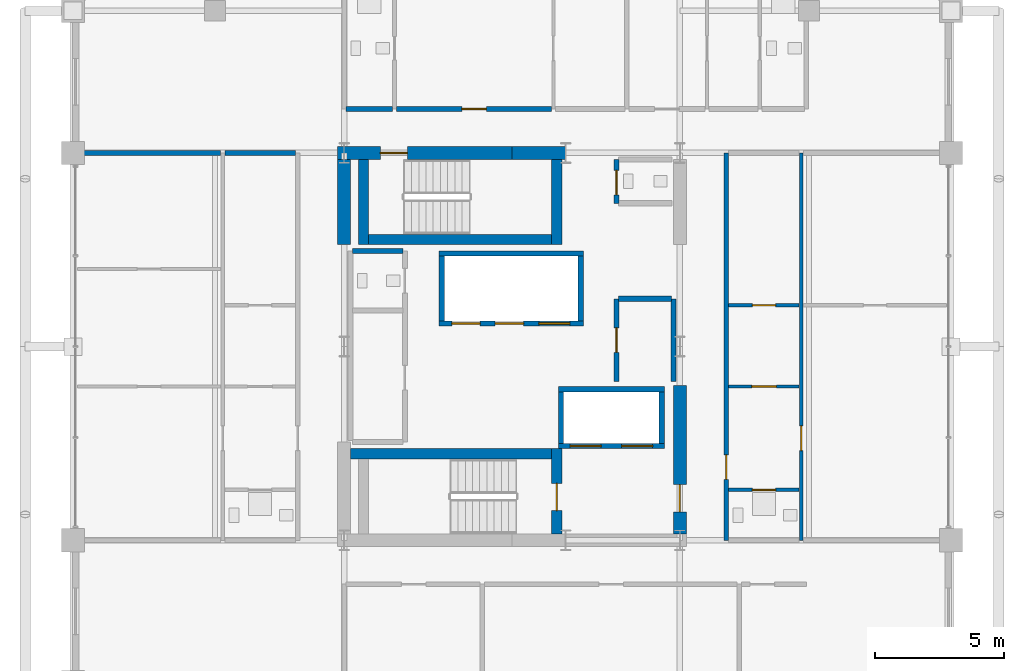
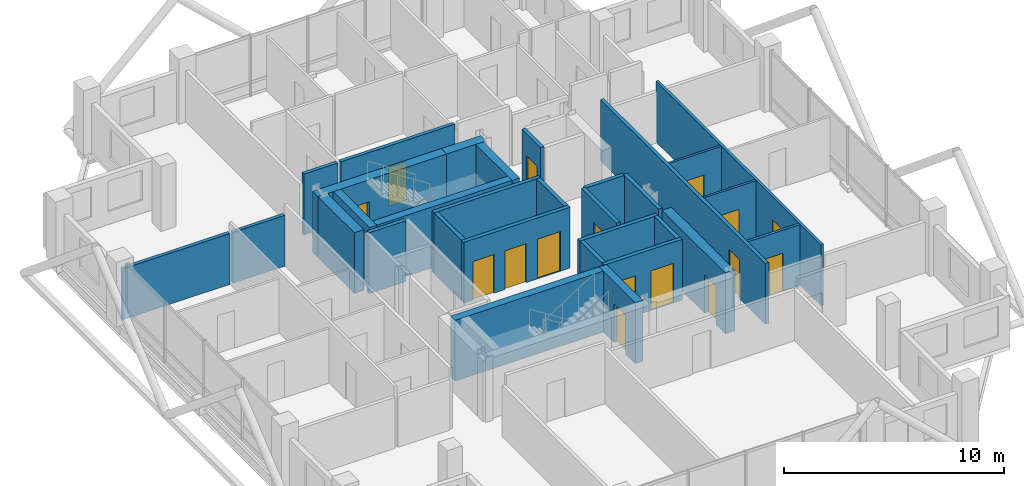
# One storey, part 20 of 24: 31 walls, 16 doors, 16 openings.
"""IFC4 building model written with IfcOpenShell, lengths in metres."""

from ifc_helpers import new_model, si_unit, direction, frame, frame_2d, origin, place, context, subcontext, project, spatial, rectangle, extrude, material, layer, layer_set, type_object, element, fill, save


model = new_model("IFC4")

# Units and contexts
model_context = context("Model", 3, precision=1e-05, world=origin(), true_north=direction((0.0, 1.0)))
body_context = subcontext(model_context, "Body", "Model", "MODEL_VIEW")
ifc_project = project(units=[si_unit("LENGTHUNIT", "METRE"), si_unit("AREAUNIT", "SQUARE_METRE"), si_unit("VOLUMEUNIT", "CUBIC_METRE"), si_unit("PLANEANGLEUNIT", "RADIAN"), si_unit("MASSUNIT", "GRAM", prefix="KILO")], contexts=[model_context])

# Site, building, storey
site_placement = place(None, origin())
site = spatial("IfcSite", under=ifc_project, at=site_placement, CompositionType="ELEMENT")
building_placement = place(site_placement, origin())
building = spatial("IfcBuilding", under=site, at=building_placement, Name="Barlavira Tower and Art Museum", CompositionType="ELEMENT")
storey_placement = place(building_placement, frame((0.0, 0.0, 251.10009765625)))
storey = spatial("IfcBuildingStorey", under=building, at=storey_placement, Name="L65", CompositionType="ELEMENT", Elevation=251.10009765625)

# Wall, opening, door
ifc_material_1 = material(Name="Gypsum acoustic stud partition", Category="gypsum")
ifc_layer_1 = layer(ifc_material_1, 0.1201171875, Name="Gypsum acoustic stud partition")
ifc_layer_set_1 = layer_set([ifc_layer_1], Name="Gypsum acoustic stud partition")
wall_type_1 = type_object("IfcWallType", Name="Apartment Internal Acoustic Partition 120", PredefinedType="PARTITIONING", material=ifc_layer_set_1)
wall_1_placement = place(storey_placement, frame((8.3798828125, -1.550048828125, 0.0), z_axis=(0.0, 0.0, 1.0), x_axis=(1.0, 0.0, 0.0)))
wall_1 = element("IfcWall", 1, at=wall_1_placement, inside=storey, type_object=wall_type_1, Name="L65 Partition Wall 34", PredefinedType="PARTITIONING", context=body_context, shape_type="SweptSolid", body=[
    extrude(rectangle(XDim=2.740234375, YDim=0.1201171875, at=frame_2d((1.3701171875, 0.0))), origin(), (0.0, 0.0, 1.0), 3.3798828125),
])
opening_1_placement = place(wall_1_placement, frame((0.905029296875, 0.0, 0.0)))
opening_1 = element("IfcOpeningElement", 2, at=opening_1_placement, cuts=wall_1, Name="Opening D-02", PredefinedType="OPENING", context=body_context, shape_type="SweptSolid", body=[
    extrude(rectangle(XDim=0.949951171875, YDim=2.10009765625, at=frame_2d((0.47509765625, 1.050048828125))), frame((0.0, 0.070068359375, 0.0), z_axis=(0.0, -1.0, 0.0), x_axis=(1.0, 0.0, 0.0)), (0.0, 0.0, 1.0), 0.14013671875),
])
ifc_material_2 = material(Name="Engineered coastal hardwood", Category="wood")
door_type_1 = type_object("IfcDoorType", Name="Living and Salon Glazed-Leaf Door 950x2100", OperationType="NOTDEFINED", PredefinedType="DOOR", material=ifc_material_2)
door_1_placement = place(opening_1_placement, origin())
door_1 = element("IfcDoor", 3, at=door_1_placement, inside=storey, type_object=door_type_1, Name="Apartment E1 Kitchen Door", OperationType="SINGLE_SWING_RIGHT", OverallHeight=2.10009765625, OverallWidth=0.949951171875, PredefinedType="DOOR", context=body_context, shape_type="SweptSolid", body=[
    extrude(rectangle(XDim=0.949951171875, YDim=2.10009765625, at=frame_2d((0.47509765625, 1.050048828125))), frame((0.0, 0.02490234375, 0.0), z_axis=(0.0, -1.0, 0.0), x_axis=(1.0, 0.0, 0.0)), (0.0, 0.0, 1.0), 0.050048828125),
])
fill(opening_1, door_1)

wall_2_placement = place(storey_placement, frame((8.3798828125, 1.60009765625, 0.0), z_axis=(0.0, 0.0, 1.0), x_axis=(1.0, 0.0, 0.0)))
wall_2 = element("IfcWall", 4, at=wall_2_placement, inside=storey, type_object=wall_type_1, Name="L65 Partition Wall 37", PredefinedType="PARTITIONING", context=body_context, shape_type="SweptSolid", body=[
    extrude(rectangle(XDim=2.740234375, YDim=0.1201171875, at=frame_2d((1.3701171875, 0.0))), origin(), (0.0, 0.0, 1.0), 3.3798828125),
])
opening_2_placement = place(wall_2_placement, frame((0.929931640625, 0.0, 0.0)))
opening_2 = element("IfcOpeningElement", 5, at=opening_2_placement, cuts=wall_2, Name="Opening D-01", PredefinedType="OPENING", context=body_context, shape_type="SweptSolid", body=[
    extrude(rectangle(XDim=0.89990234375, YDim=2.10009765625, at=frame_2d((0.449951171875, 1.050048828125))), frame((0.0, 0.070068359375, 0.0), z_axis=(0.0, -1.0, 0.0), x_axis=(1.0, 0.0, 0.0)), (0.0, 0.0, 1.0), 0.14013671875),
])
door_type_2 = type_object("IfcDoorType", Name="Internal Bedroom Timber Flush Door 900x2100", OperationType="NOTDEFINED", PredefinedType="DOOR", material=ifc_material_2)
door_2_placement = place(opening_2_placement, origin())
door_2 = element("IfcDoor", 6, at=door_2_placement, inside=storey, type_object=door_type_2, Name="Apartment E1 Walk-In Dressing Room Door", OperationType="SINGLE_SWING_LEFT", OverallHeight=2.10009765625, OverallWidth=0.89990234375, PredefinedType="DOOR", context=body_context, shape_type="SweptSolid", body=[
    extrude(rectangle(XDim=0.89990234375, YDim=2.10009765625, at=frame_2d((0.449951171875, 1.050048828125))), frame((0.0, 0.02490234375, 0.0), z_axis=(0.0, -1.0, 0.0), x_axis=(1.0, 0.0, 0.0)), (0.0, 0.0, 1.0), 0.050048828125),
])
fill(opening_2, door_2)

ifc_material_3 = material(Name="Concrete C60", Category="concrete")
ifc_layer_2 = layer(ifc_material_3, 0.5, Name="Concrete C60")
ifc_layer_set_2 = layer_set([ifc_layer_2], Name="Concrete C60")
wall_type_2 = type_object("IfcWallType", Name="Core Structural Shear Wall 500 Concrete C60", PredefinedType="SHEAR", material=ifc_layer_set_2)
wall_3_placement = place(storey_placement, frame((-6.75, 7.5, 0.0), z_axis=(0.0, 0.0, 1.0), x_axis=(1.0, 0.0, 0.0)))
wall_3 = element("IfcWall", 7, at=wall_3_placement, inside=storey, type_object=wall_type_2, Name="L65 Core Shear Wall CS-NW", PredefinedType="SHEAR", context=body_context, shape_type="SweptSolid", body=[
    extrude(rectangle(XDim=6.75, YDim=0.5, at=frame_2d((3.375, 0.0))), origin(), (0.0, 0.0, 1.0), 3.3798828125),
])
opening_3_placement = place(wall_3_placement, frame((1.64990234375, 0.0, 0.0)))
opening_3 = element("IfcOpeningElement", 8, at=opening_3_placement, cuts=wall_3, Name="Opening FD-90", PredefinedType="OPENING", context=body_context, shape_type="SweptSolid", body=[
    extrude(rectangle(XDim=1.050048828125, YDim=2.14990234375, at=frame_2d((0.52490234375, 1.074951171875))), frame((0.0, 0.260009765625, 0.0), z_axis=(0.0, -1.0, 0.0), x_axis=(1.0, 0.0, 0.0)), (0.0, 0.0, 1.0), 0.52001953125),
])
ifc_material_4 = material(Name="Brushed stainless steel", Category="steel")
door_type_3 = type_object("IfcDoorType", Name="Stair and Refuge Fire Door 1050x2150 FD90S", OperationType="NOTDEFINED", PredefinedType="DOOR", material=ifc_material_4)
door_3_placement = place(opening_3_placement, origin())
door_3 = element("IfcDoor", 9, at=door_3_placement, inside=storey, type_object=door_type_3, Name="L65 Stair ST-T2 Fire Door", OperationType="SINGLE_SWING_LEFT", OverallHeight=2.14990234375, OverallWidth=1.050048828125, PredefinedType="DOOR", context=body_context, shape_type="SweptSolid", body=[
    extrude(rectangle(XDim=1.050048828125, YDim=2.14990234375, at=frame_2d((0.52490234375, 1.074951171875))), frame((0.0, 0.02490234375, 0.0), z_axis=(0.0, -1.0, 0.0), x_axis=(1.0, 0.0, 0.0)), (0.0, 0.0, 1.0), 0.050048828125),
])
fill(opening_3, door_3)

# Walls
wall_4_placement = place(storey_placement, frame((0.0, 7.5, 0.0), z_axis=(0.0, 0.0, 1.0), x_axis=(1.0, 0.0, 0.0)))
element("IfcWall", 10, at=wall_4_placement, inside=storey, type_object=wall_type_2, Name="L65 Core Shear Wall CS-EN", PredefinedType="SHEAR", context=body_context, shape_type="SweptSolid", body=[
    extrude(rectangle(XDim=2.080078125, YDim=0.5, at=frame_2d((1.0400390625, 0.0))), origin(), (0.0, 0.0, 1.0), 3.3798828125),
])
wall_5_placement = place(storey_placement, frame((-6.5, 3.949951171875, 0.0), z_axis=(0.0, 0.0, 1.0), x_axis=(0.0, 1.0, 0.0)))
element("IfcWall", 11, at=wall_5_placement, inside=storey, type_object=wall_type_2, Name="L65 Core Shear Wall CS-W2", PredefinedType="SHEAR", context=body_context, shape_type="SweptSolid", body=[
    extrude(rectangle(XDim=3.300048828125, YDim=0.5, at=frame_2d((1.64990234375, 0.0))), origin(), (0.0, 0.0, 1.0), 3.3798828125),
])

# Wall, opening, door
wall_6_placement = place(storey_placement, frame((6.5, -7.25, 0.0), z_axis=(0.0, 0.0, 1.0), x_axis=(0.0, 1.0, 0.0)))
wall_6 = element("IfcWall", 12, at=wall_6_placement, inside=storey, type_object=wall_type_2, Name="L65 Core Shear Wall CS-E1", PredefinedType="SHEAR", context=body_context, shape_type="SweptSolid", body=[
    extrude(rectangle(XDim=5.75, YDim=0.5, at=frame_2d((2.875, 0.0))), origin(), (0.0, 0.0, 1.0), 3.3798828125),
])
opening_4_placement = place(wall_6_placement, frame((0.85009765625, 0.0, 0.0)))
opening_4 = element("IfcOpeningElement", 13, at=opening_4_placement, cuts=wall_6, Name="Opening FD-90", PredefinedType="OPENING", context=body_context, shape_type="SweptSolid", body=[
    extrude(rectangle(XDim=1.050048828125, YDim=2.14990234375, at=frame_2d((0.52490234375, 1.074951171875))), frame((0.0, 0.260009765625, 0.0), z_axis=(0.0, -1.0, 0.0), x_axis=(1.0, 0.0, 0.0)), (0.0, 0.0, 1.0), 0.52001953125),
])
door_4_placement = place(opening_4_placement, origin())
door_4 = element("IfcDoor", 14, at=door_4_placement, inside=storey, type_object=door_type_3, Name="L65 Firefighting Lobby Entry Fire Door", OperationType="SINGLE_SWING_LEFT", OverallHeight=2.14990234375, OverallWidth=1.050048828125, PredefinedType="DOOR", context=body_context, shape_type="SweptSolid", body=[
    extrude(rectangle(XDim=1.050048828125, YDim=2.14990234375, at=frame_2d((0.52490234375, 1.074951171875))), frame((0.0, 0.02490234375, 0.0), z_axis=(0.0, -1.0, 0.0), x_axis=(1.0, 0.0, 0.0)), (0.0, 0.0, 1.0), 0.050048828125),
])
fill(opening_4, door_4)

# Wall, openings, doors
ifc_material_5 = material(Name="Autoclaved aerated concrete masonry", Category="masonry")
ifc_layer_3 = layer(ifc_material_5, 0.199951171875, Name="Autoclaved aerated concrete masonry")
ifc_layer_set_3 = layer_set([ifc_layer_3], Name="Autoclaved aerated concrete masonry")
wall_type_3 = type_object("IfcWallType", Name="Fire Compartment and Shaft Wall 200", PredefinedType="SOLIDWALL", material=ifc_layer_set_3)
wall_7_placement = place(storey_placement, frame((-2.820068359375, 0.89990234375, 0.0), z_axis=(0.0, 0.0, 1.0), x_axis=(1.0, 0.0, 0.0)))
wall_7 = element("IfcWall", 15, at=wall_7_placement, inside=storey, type_object=wall_type_3, Name="L65 High-Rise & Service Lift Front Wall", PredefinedType="SOLIDWALL", context=body_context, shape_type="SweptSolid", body=[
    extrude(rectangle(XDim=5.580078125, YDim=0.199951171875, at=frame_2d((2.7900390625, 0.0))), origin(), (0.0, 0.0, 1.0), 3.3798828125),
])
opening_5_placement = place(wall_7_placement, frame((0.489990234375, 0.0, 0.0)))
opening_5 = element("IfcOpeningElement", 16, at=opening_5_placement, cuts=wall_7, Name="Opening LD-P", PredefinedType="OPENING", context=body_context, shape_type="SweptSolid", body=[
    extrude(rectangle(XDim=1.10009765625, YDim=2.14990234375, at=frame_2d((0.550048828125, 1.074951171875))), frame((0.0, 0.10986328125, 0.0), z_axis=(0.0, -1.0, 0.0), x_axis=(1.0, 0.0, 0.0)), (0.0, 0.0, 1.0), 0.219970703125),
])
opening_6_placement = place(wall_7_placement, frame((2.169921875, 0.0, 0.0)))
opening_6 = element("IfcOpeningElement", 17, at=opening_6_placement, cuts=wall_7, Name="Opening LD-P", PredefinedType="OPENING", context=body_context, shape_type="SweptSolid", body=[
    extrude(rectangle(XDim=1.10009765625, YDim=2.14990234375, at=frame_2d((0.550048828125, 1.074951171875))), frame((0.0, 0.10986328125, 0.0), z_axis=(0.0, -1.0, 0.0), x_axis=(1.0, 0.0, 0.0)), (0.0, 0.0, 1.0), 0.219970703125),
])
opening_7_placement = place(wall_7_placement, frame((3.860107421875, 0.0, 0.0)))
opening_7 = element("IfcOpeningElement", 18, at=opening_7_placement, cuts=wall_7, Name="Opening LD-F", PredefinedType="OPENING", context=body_context, shape_type="SweptSolid", body=[
    extrude(rectangle(XDim=1.199951171875, YDim=2.199951171875, at=frame_2d((0.60009765625, 1.10009765625))), frame((0.0, 0.10986328125, 0.0), z_axis=(0.0, -1.0, 0.0), x_axis=(1.0, 0.0, 0.0)), (0.0, 0.0, 1.0), 0.219970703125),
])
door_type_4 = type_object("IfcDoorType", Name="Firefighting and Service Lift Sliding Door 1200x2200 FD120", OperationType="NOTDEFINED", PredefinedType="DOOR", material=ifc_material_4)
door_5_placement = place(opening_7_placement, origin())
door_5 = element("IfcDoor", 19, at=door_5_placement, inside=storey, type_object=door_type_4, Name="L65 Stretcher Service Lift SL1 Sliding Door", OperationType="DOUBLE_DOOR_SLIDING", OverallHeight=2.199951171875, OverallWidth=1.199951171875, PredefinedType="DOOR", context=body_context, shape_type="SweptSolid", body=[
    extrude(rectangle(XDim=1.199951171875, YDim=2.199951171875, at=frame_2d((0.60009765625, 1.10009765625))), frame((0.0, 0.02490234375, 0.0), z_axis=(0.0, -1.0, 0.0), x_axis=(1.0, 0.0, 0.0)), (0.0, 0.0, 1.0), 0.050048828125),
])
fill(opening_7, door_5)
door_type_5 = type_object("IfcDoorType", Name="Passenger Lift Sliding Landing Door 1100x2150 FD60", OperationType="NOTDEFINED", PredefinedType="DOOR", material=ifc_material_4)
door_6_placement = place(opening_5_placement, origin())
door_6 = element("IfcDoor", 20, at=door_6_placement, inside=storey, type_object=door_type_5, Name="L65 Lift PH1 Sliding Landing Door", OperationType="DOUBLE_DOOR_SLIDING", OverallHeight=2.14990234375, OverallWidth=1.10009765625, PredefinedType="DOOR", context=body_context, shape_type="SweptSolid", body=[
    extrude(rectangle(XDim=1.10009765625, YDim=2.14990234375, at=frame_2d((0.550048828125, 1.074951171875))), frame((0.0, 0.02490234375, 0.0), z_axis=(0.0, -1.0, 0.0), x_axis=(1.0, 0.0, 0.0)), (0.0, 0.0, 1.0), 0.050048828125),
])
fill(opening_5, door_6)
door_7_placement = place(opening_6_placement, origin())
door_7 = element("IfcDoor", 21, at=door_7_placement, inside=storey, type_object=door_type_5, Name="L65 Lift PH2 Sliding Landing Door", OperationType="DOUBLE_DOOR_SLIDING", OverallHeight=2.14990234375, OverallWidth=1.10009765625, PredefinedType="DOOR", context=body_context, shape_type="SweptSolid", body=[
    extrude(rectangle(XDim=1.10009765625, YDim=2.14990234375, at=frame_2d((0.550048828125, 1.074951171875))), frame((0.0, 0.02490234375, 0.0), z_axis=(0.0, -1.0, 0.0), x_axis=(1.0, 0.0, 0.0)), (0.0, 0.0, 1.0), 0.050048828125),
])
fill(opening_6, door_7)

# Walls
wall_8_placement = place(storey_placement, frame((-2.820068359375, 3.60009765625, 0.0), z_axis=(0.0, 0.0, 1.0), x_axis=(1.0, 0.0, 0.0)))
element("IfcWall", 22, at=wall_8_placement, inside=storey, type_object=wall_type_3, Name="L65 High-Rise & Service Lift Back Wall", PredefinedType="SOLIDWALL", context=body_context, shape_type="SweptSolid", body=[
    extrude(rectangle(XDim=5.580078125, YDim=0.199951171875, at=frame_2d((2.7900390625, 0.0))), origin(), (0.0, 0.0, 1.0), 3.3798828125),
])
for number, where, z_axis, x_axis, name in (
    (23, (-2.719970703125, 1.0, 0.0), (0.0, 0.0, 1.0), (0.0, 1.0, 0.0), "L65 High-Rise & Service Lift West Wall"),
    (24, (2.659912109375, 1.0, 0.0), (0.0, 0.0, 1.0), (0.0, 1.0, 0.0), "L65 High-Rise & Service Lift East Wall"),
):
    element("IfcWall", number, at=place(storey_placement, frame(where, z_axis=z_axis, x_axis=x_axis)), inside=storey, type_object=wall_type_3, Name=name, PredefinedType="SOLIDWALL", context=body_context, shape_type="SweptSolid", body=[
        extrude(rectangle(XDim=2.5, YDim=0.199951171875, at=frame_2d((1.25, 0.0))), origin(), (0.0, 0.0, 1.0), 3.3798828125),
    ])

# Wall, openings, doors
wall_9_placement = place(storey_placement, frame((1.800048828125, -3.85009765625, 0.0), z_axis=(0.0, 0.0, 1.0), x_axis=(1.0, 0.0, 0.0)))
wall_9 = element("IfcWall", 25, at=wall_9_placement, inside=storey, type_object=wall_type_3, Name="L65 Firefighting Lift Front Shaft Wall", PredefinedType="SOLIDWALL", context=body_context, shape_type="SweptSolid", body=[
    extrude(rectangle(XDim=4.099853515625, YDim=0.199951171875, at=frame_2d((2.0498046875, 0.0))), origin(), (0.0, 0.0, 1.0), 3.3798828125),
])
opening_8_placement = place(wall_9_placement, frame((0.449951171875, 0.0, 0.0)))
opening_8 = element("IfcOpeningElement", 26, at=opening_8_placement, cuts=wall_9, Name="Opening LD-F", PredefinedType="OPENING", context=body_context, shape_type="SweptSolid", body=[
    extrude(rectangle(XDim=1.199951171875, YDim=2.199951171875, at=frame_2d((0.60009765625, 1.10009765625))), frame((0.0, 0.10986328125, 0.0), z_axis=(0.0, -1.0, 0.0), x_axis=(1.0, 0.0, 0.0)), (0.0, 0.0, 1.0), 0.219970703125),
])
opening_9_placement = place(wall_9_placement, frame((2.449951171875, 0.0, 0.0)))
opening_9 = element("IfcOpeningElement", 27, at=opening_9_placement, cuts=wall_9, Name="Opening LD-F", PredefinedType="OPENING", context=body_context, shape_type="SweptSolid", body=[
    extrude(rectangle(XDim=1.199951171875, YDim=2.199951171875, at=frame_2d((0.60009765625, 1.10009765625))), frame((0.0, 0.10986328125, 0.0), z_axis=(0.0, -1.0, 0.0), x_axis=(1.0, 0.0, 0.0)), (0.0, 0.0, 1.0), 0.219970703125),
])
door_8_placement = place(opening_8_placement, origin())
door_8 = element("IfcDoor", 28, at=door_8_placement, inside=storey, type_object=door_type_4, Name="L65 Firefighting Lift FF1 Sliding Door", OperationType="DOUBLE_DOOR_SLIDING", OverallHeight=2.199951171875, OverallWidth=1.199951171875, PredefinedType="DOOR", context=body_context, shape_type="SweptSolid", body=[
    extrude(rectangle(XDim=1.199951171875, YDim=2.199951171875, at=frame_2d((0.60009765625, 1.10009765625))), frame((0.0, 0.02490234375, 0.0), z_axis=(0.0, -1.0, 0.0), x_axis=(1.0, 0.0, 0.0)), (0.0, 0.0, 1.0), 0.050048828125),
])
fill(opening_8, door_8)
door_9_placement = place(opening_9_placement, origin())
door_9 = element("IfcDoor", 29, at=door_9_placement, inside=storey, type_object=door_type_4, Name="L65 Firefighting Lift FF2 Sliding Door", OperationType="DOUBLE_DOOR_SLIDING", OverallHeight=2.199951171875, OverallWidth=1.199951171875, PredefinedType="DOOR", context=body_context, shape_type="SweptSolid", body=[
    extrude(rectangle(XDim=1.199951171875, YDim=2.199951171875, at=frame_2d((0.60009765625, 1.10009765625))), frame((0.0, 0.02490234375, 0.0), z_axis=(0.0, -1.0, 0.0), x_axis=(1.0, 0.0, 0.0)), (0.0, 0.0, 1.0), 0.050048828125),
])
fill(opening_9, door_9)

# Walls
wall_10_placement = place(storey_placement, frame((1.800048828125, -1.64990234375, 0.0), z_axis=(0.0, 0.0, 1.0), x_axis=(1.0, 0.0, 0.0)))
element("IfcWall", 30, at=wall_10_placement, inside=storey, type_object=wall_type_3, Name="L65 Firefighting Lift Back Shaft Wall", PredefinedType="SOLIDWALL", context=body_context, shape_type="SweptSolid", body=[
    extrude(rectangle(XDim=4.099853515625, YDim=0.199951171875, at=frame_2d((2.0498046875, 0.0))), origin(), (0.0, 0.0, 1.0), 3.3798828125),
])
for number, where, z_axis, x_axis, name in (
    (31, (1.89990234375, -3.75, 0.0), (0.0, 0.0, 1.0), (0.0, 1.0, 0.0), "L65 Firefighting Lift West Shaft Wall"),
    (32, (5.800048828125, -3.75, 0.0), (0.0, 0.0, 1.0), (0.0, 1.0, 0.0), "L65 Firefighting Lift East Shaft Wall"),
):
    element("IfcWall", number, at=place(storey_placement, frame(where, z_axis=z_axis, x_axis=x_axis)), inside=storey, type_object=wall_type_3, Name=name, PredefinedType="SOLIDWALL", context=body_context, shape_type="SweptSolid", body=[
        extrude(rectangle(XDim=2.0, YDim=0.199951171875, at=frame_2d((1.0, 0.0))), origin(), (0.0, 0.0, 1.0), 3.3798828125),
    ])

# Wall, opening, door
wall_11_placement = place(storey_placement, frame((4.050048828125, -1.35009765625, 0.0), z_axis=(0.0, 0.0, 1.0), x_axis=(0.0, 1.0, 0.0)))
wall_11 = element("IfcWall", 33, at=wall_11_placement, inside=storey, type_object=wall_type_3, Name="L65 Partition Wall 11", PredefinedType="SOLIDWALL", context=body_context, shape_type="SweptSolid", body=[
    extrude(rectangle(XDim=3.2001953125, YDim=0.199951171875, at=frame_2d((1.60009765625, 0.0))), origin(), (0.0, 0.0, 1.0), 3.3798828125),
])
opening_10_placement = place(wall_11_placement, frame((1.125, 0.0, 0.0)))
opening_10 = element("IfcOpeningElement", 34, at=opening_10_placement, cuts=wall_11, Name="Opening FD-60", PredefinedType="OPENING", context=body_context, shape_type="SweptSolid", body=[
    extrude(rectangle(XDim=0.949951171875, YDim=2.14990234375, at=frame_2d((0.47509765625, 1.074951171875))), frame((0.0, 0.10986328125, 0.0), z_axis=(0.0, -1.0, 0.0), x_axis=(1.0, 0.0, 0.0)), (0.0, 0.0, 1.0), 0.219970703125),
])
door_type_6 = type_object("IfcDoorType", Name="Apartment Entrance and Riser Fire Door 950x2150 FD60S", OperationType="NOTDEFINED", PredefinedType="DOOR", material=ifc_material_4)
door_10_placement = place(opening_10_placement, origin())
door_10 = element("IfcDoor", 35, at=door_10_placement, inside=storey, type_object=door_type_6, Name="Reclaimed Upper Core Valet Store Door", OperationType="SINGLE_SWING_LEFT", OverallHeight=2.14990234375, OverallWidth=0.949951171875, PredefinedType="DOOR", context=body_context, shape_type="SweptSolid", body=[
    extrude(rectangle(XDim=0.949951171875, YDim=2.14990234375, at=frame_2d((0.47509765625, 1.074951171875))), frame((0.0, 0.02490234375, 0.0), z_axis=(0.0, -1.0, 0.0), x_axis=(1.0, 0.0, 0.0)), (0.0, 0.0, 1.0), 0.050048828125),
])
fill(opening_10, door_10)

wall_12_placement = place(storey_placement, frame((4.050048828125, 5.550048828125, 0.0), z_axis=(0.0, 0.0, 1.0), x_axis=(0.0, 1.0, 0.0)))
wall_12 = element("IfcWall", 36, at=wall_12_placement, inside=storey, type_object=wall_type_3, Name="L65 Partition Wall 12", PredefinedType="SOLIDWALL", context=body_context, shape_type="SweptSolid", body=[
    extrude(rectangle(XDim=1.699951171875, YDim=0.199951171875, at=frame_2d((0.85009765625, 0.0))), origin(), (0.0, 0.0, 1.0), 3.3798828125),
])
opening_11_placement = place(wall_12_placement, frame((0.324951171875, 0.0, 0.0)))
opening_11 = element("IfcOpeningElement", 37, at=opening_11_placement, cuts=wall_12, Name="Opening FD-60", PredefinedType="OPENING", context=body_context, shape_type="SweptSolid", body=[
    extrude(rectangle(XDim=0.949951171875, YDim=2.14990234375, at=frame_2d((0.47509765625, 1.074951171875))), frame((0.0, 0.10986328125, 0.0), z_axis=(0.0, -1.0, 0.0), x_axis=(1.0, 0.0, 0.0)), (0.0, 0.0, 1.0), 0.219970703125),
])
door_11_placement = place(opening_11_placement, origin())
door_11 = element("IfcDoor", 38, at=door_11_placement, inside=storey, type_object=door_type_6, Name="Core Accessible Washroom Door", OperationType="SINGLE_SWING_RIGHT", OverallHeight=2.14990234375, OverallWidth=0.949951171875, PredefinedType="DOOR", context=body_context, shape_type="SweptSolid", body=[
    extrude(rectangle(XDim=0.949951171875, YDim=2.14990234375, at=frame_2d((0.47509765625, 1.074951171875))), frame((0.0, 0.02490234375, 0.0), z_axis=(0.0, -1.0, 0.0), x_axis=(1.0, 0.0, 0.0)), (0.0, 0.0, 1.0), 0.050048828125),
])
fill(opening_11, door_11)

# Walls
wall_13_placement = place(storey_placement, frame((6.25, -1.35009765625, 0.0), z_axis=(0.0, 0.0, 1.0), x_axis=(0.0, 1.0, 0.0)))
element("IfcWall", 39, at=wall_13_placement, inside=storey, type_object=wall_type_3, Name="L65 Partition Wall 14", PredefinedType="SOLIDWALL", context=body_context, shape_type="SweptSolid", body=[
    extrude(rectangle(XDim=3.2001953125, YDim=0.199951171875, at=frame_2d((1.60009765625, 0.0))), origin(), (0.0, 0.0, 1.0), 3.3798828125),
])
wall_14_placement = place(storey_placement, frame((4.1298828125, 1.85009765625, 0.0), z_axis=(0.0, 0.0, 1.0), x_axis=(1.0, 0.0, 0.0)))
element("IfcWall", 40, at=wall_14_placement, inside=storey, type_object=wall_type_3, Name="L65 Partition Wall 39", PredefinedType="SOLIDWALL", context=body_context, shape_type="SweptSolid", body=[
    extrude(rectangle(XDim=2.0400390625, YDim=0.199951171875, at=frame_2d((1.02001953125, 0.0))), origin(), (0.0, 0.0, 1.0), 3.3798828125),
])
wall_15_placement = place(storey_placement, frame((-6.169921875, 3.699951171875, 0.0), z_axis=(0.0, 0.0, 1.0), x_axis=(1.0, 0.0, 0.0)))
element("IfcWall", 41, at=wall_15_placement, inside=storey, type_object=wall_type_3, Name="L65 Partition Wall 41", PredefinedType="SOLIDWALL", context=body_context, shape_type="SweptSolid", body=[
    extrude(rectangle(XDim=1.93994140625, YDim=0.199951171875, at=frame_2d((0.969970703125, 0.0))), origin(), (0.0, 0.0, 1.0), 3.3798828125),
])

# Wall, opening, door
ifc_layer_4 = layer(ifc_material_1, 0.179931640625, Name="Gypsum acoustic stud partition")
ifc_layer_set_4 = layer_set([ifc_layer_4], Name="Gypsum acoustic stud partition")
wall_type_4 = type_object("IfcWallType", Name="Inter-Tenancy Party Partition Wall 180", PredefinedType="PARTITIONING", material=ifc_layer_set_4)
wall_16_placement = place(storey_placement, frame((8.300048828125, -7.5, 0.0), z_axis=(0.0, 0.0, 1.0), x_axis=(0.0, 1.0, 0.0)))
wall_16 = element("IfcWall", 42, at=wall_16_placement, inside=storey, type_object=wall_type_4, Name="L65 Partition Wall 17", PredefinedType="PARTITIONING", context=body_context, shape_type="SweptSolid", body=[
    extrude(rectangle(XDim=15.0, YDim=0.179931640625, at=frame_2d((7.5, 0.0))), origin(), (0.0, 0.0, 1.0), 3.3798828125),
])
opening_12_placement = place(wall_16_placement, frame((2.35498046875, 0.0, 0.0)))
opening_12 = element("IfcOpeningElement", 43, at=opening_12_placement, cuts=wall_16, Name="Opening FD-60", PredefinedType="OPENING", context=body_context, shape_type="SweptSolid", body=[
    extrude(rectangle(XDim=0.949951171875, YDim=2.14990234375, at=frame_2d((0.47509765625, 1.074951171875))), frame((0.0, 0.10009765625, 0.0), z_axis=(0.0, -1.0, 0.0), x_axis=(1.0, 0.0, 0.0)), (0.0, 0.0, 1.0), 0.199951171875),
])
door_12_placement = place(opening_12_placement, origin())
door_12 = element("IfcDoor", 44, at=door_12_placement, inside=storey, type_object=door_type_6, Name="Apartment Entrance Hall E1 Door", OperationType="SINGLE_SWING_LEFT", OverallHeight=2.14990234375, OverallWidth=0.949951171875, PredefinedType="DOOR", context=body_context, shape_type="SweptSolid", body=[
    extrude(rectangle(XDim=0.949951171875, YDim=2.14990234375, at=frame_2d((0.47509765625, 1.074951171875))), frame((0.0, 0.02490234375, 0.0), z_axis=(0.0, -1.0, 0.0), x_axis=(1.0, 0.0, 0.0)), (0.0, 0.0, 1.0), 0.050048828125),
])
fill(opening_12, door_12)

# Walls
wall_17_placement = place(storey_placement, frame((-16.89990234375, 7.5, 0.0), z_axis=(0.0, 0.0, 1.0), x_axis=(1.0, 0.0, 0.0)))
element("IfcWall", 45, at=wall_17_placement, inside=storey, type_object=wall_type_4, Name="L65 Partition Wall 44", PredefinedType="PARTITIONING", context=body_context, shape_type="SweptSolid", body=[
    extrude(rectangle(XDim=5.619873046875, YDim=0.179931640625, at=frame_2d((2.81005859375, 0.0))), origin(), (0.0, 0.0, 1.0), 2.825927734375),
])
wall_18_placement = place(storey_placement, frame((-11.1201171875, 7.5, 0.0), z_axis=(0.0, 0.0, 1.0), x_axis=(1.0, 0.0, 0.0)))
element("IfcWall", 46, at=wall_18_placement, inside=storey, type_object=wall_type_4, Name="L65 Partition Wall 45", PredefinedType="PARTITIONING", context=body_context, shape_type="SweptSolid", body=[
    extrude(rectangle(XDim=2.740234375, YDim=0.179931640625, at=frame_2d((1.3701171875, 0.0))), origin(), (0.0, 0.0, 1.0), 2.825927734375),
])
wall_19_placement = place(storey_placement, frame((-6.419921875, 9.199951171875, 0.0), z_axis=(0.0, 0.0, 1.0), x_axis=(1.0, 0.0, 0.0)))
element("IfcWall", 47, at=wall_19_placement, inside=storey, type_object=wall_type_4, Name="L65 Partition Wall 48", PredefinedType="PARTITIONING", context=body_context, shape_type="SweptSolid", body=[
    extrude(rectangle(XDim=1.7900390625, YDim=0.179931640625, at=frame_2d((0.89501953125, 0.0))), origin(), (0.0, 0.0, 1.0), 3.3798828125),
])

# Wall, opening, door
wall_20_placement = place(storey_placement, frame((-4.469970703125, 9.199951171875, 0.0), z_axis=(0.0, 0.0, 1.0), x_axis=(1.0, 0.0, 0.0)))
wall_20 = element("IfcWall", 48, at=wall_20_placement, inside=storey, type_object=wall_type_4, Name="L65 Partition Wall 49", PredefinedType="PARTITIONING", context=body_context, shape_type="SweptSolid", body=[
    extrude(rectangle(XDim=5.989990234375, YDim=0.179931640625, at=frame_2d((2.9951171875, 0.0))), origin(), (0.0, 0.0, 1.0), 3.3798828125),
])
opening_13_placement = place(wall_20_placement, frame((2.52490234375, 0.0, 0.0)))
opening_13 = element("IfcOpeningElement", 49, at=opening_13_placement, cuts=wall_20, Name="Opening FD-60", PredefinedType="OPENING", context=body_context, shape_type="SweptSolid", body=[
    extrude(rectangle(XDim=0.949951171875, YDim=2.14990234375, at=frame_2d((0.47509765625, 1.074951171875))), frame((0.0, 0.10009765625, 0.0), z_axis=(0.0, -1.0, 0.0), x_axis=(1.0, 0.0, 0.0)), (0.0, 0.0, 1.0), 0.199951171875),
])
door_13_placement = place(opening_13_placement, origin())
door_13 = element("IfcDoor", 50, at=door_13_placement, inside=storey, type_object=door_type_6, Name="Apartment Entrance Hall N1 Door", OperationType="SINGLE_SWING_LEFT", OverallHeight=2.14990234375, OverallWidth=0.949951171875, PredefinedType="DOOR", context=body_context, shape_type="SweptSolid", body=[
    extrude(rectangle(XDim=0.949951171875, YDim=2.14990234375, at=frame_2d((0.47509765625, 1.074951171875))), frame((0.0, 0.02490234375, 0.0), z_axis=(0.0, -1.0, 0.0), x_axis=(1.0, 0.0, 0.0)), (0.0, 0.0, 1.0), 0.050048828125),
])
fill(opening_13, door_13)

ifc_layer_5 = layer(ifc_material_1, 0.139892578125, Name="Gypsum acoustic stud partition")
ifc_layer_set_5 = layer_set([ifc_layer_5], Name="Gypsum acoustic stud partition")
wall_type_5 = type_object("IfcWallType", Name="Moisture-Resistant Bathroom Partition 140", PredefinedType="PARTITIONING", material=ifc_layer_set_5)
wall_21_placement = place(storey_placement, frame((11.199951171875, -7.5, 0.0), z_axis=(0.0, 0.0, 1.0), x_axis=(0.0, 1.0, 0.0)))
wall_21 = element("IfcWall", 51, at=wall_21_placement, inside=storey, type_object=wall_type_5, Name="L65 Partition Wall 20", PredefinedType="PARTITIONING", context=body_context, shape_type="SweptSolid", body=[
    extrude(rectangle(XDim=15.0, YDim=0.139892578125, at=frame_2d((7.5, 0.0))), origin(), (0.0, 0.0, 1.0), 3.3798828125),
])
opening_14_placement = place(wall_21_placement, frame((3.47509765625, 0.0, 0.0)))
opening_14 = element("IfcOpeningElement", 52, at=opening_14_placement, cuts=wall_21, Name="Opening D-02", PredefinedType="OPENING", context=body_context, shape_type="SweptSolid", body=[
    extrude(rectangle(XDim=0.949951171875, YDim=2.10009765625, at=frame_2d((0.47509765625, 1.050048828125))), frame((0.0, 0.080078125, 0.0), z_axis=(0.0, -1.0, 0.0), x_axis=(1.0, 0.0, 0.0)), (0.0, 0.0, 1.0), 0.159912109375),
])
door_14_placement = place(opening_14_placement, origin())
door_14 = element("IfcDoor", 53, at=door_14_placement, inside=storey, type_object=door_type_1, Name="Apartment E1 Living Lounge Door", OperationType="SINGLE_SWING_RIGHT", OverallHeight=2.10009765625, OverallWidth=0.949951171875, PredefinedType="DOOR", context=body_context, shape_type="SweptSolid", body=[
    extrude(rectangle(XDim=0.949951171875, YDim=2.10009765625, at=frame_2d((0.47509765625, 1.050048828125))), frame((0.0, 0.02490234375, 0.0), z_axis=(0.0, -1.0, 0.0), x_axis=(1.0, 0.0, 0.0)), (0.0, 0.0, 1.0), 0.050048828125),
])
fill(opening_14, door_14)

wall_22_placement = place(storey_placement, frame((8.3798828125, -5.550048828125, 0.0), z_axis=(0.0, 0.0, 1.0), x_axis=(1.0, 0.0, 0.0)))
wall_22 = element("IfcWall", 54, at=wall_22_placement, inside=storey, type_object=wall_type_5, Name="L65 Partition Wall 30", PredefinedType="PARTITIONING", context=body_context, shape_type="SweptSolid", body=[
    extrude(rectangle(XDim=2.740234375, YDim=0.139892578125, at=frame_2d((1.3701171875, 0.0))), origin(), (0.0, 0.0, 1.0), 3.3798828125),
])
opening_15_placement = place(wall_22_placement, frame((0.929931640625, 0.0, 0.0)))
opening_15 = element("IfcOpeningElement", 55, at=opening_15_placement, cuts=wall_22, Name="Opening D-WC", PredefinedType="OPENING", context=body_context, shape_type="SweptSolid", body=[
    extrude(rectangle(XDim=0.89990234375, YDim=2.10009765625, at=frame_2d((0.449951171875, 1.050048828125))), frame((0.0, 0.080078125, 0.0), z_axis=(0.0, -1.0, 0.0), x_axis=(1.0, 0.0, 0.0)), (0.0, 0.0, 1.0), 0.159912109375),
])
door_type_7 = type_object("IfcDoorType", Name="Accessible Bathroom Flush Door 900x2100", OperationType="NOTDEFINED", PredefinedType="DOOR", material=ifc_material_2)
door_15_placement = place(opening_15_placement, origin())
door_15 = element("IfcDoor", 56, at=door_15_placement, inside=storey, type_object=door_type_7, Name="Apartment E1 Hall Bathroom Door", OperationType="SINGLE_SWING_RIGHT", OverallHeight=2.10009765625, OverallWidth=0.89990234375, PredefinedType="DOOR", context=body_context, shape_type="SweptSolid", body=[
    extrude(rectangle(XDim=0.89990234375, YDim=2.10009765625, at=frame_2d((0.449951171875, 1.050048828125))), frame((0.0, 0.02490234375, 0.0), z_axis=(0.0, -1.0, 0.0), x_axis=(1.0, 0.0, 0.0)), (0.0, 0.0, 1.0), 0.050048828125),
])
fill(opening_15, door_15)

# Wall
ifc_material_6 = material(Name="Concrete C55", Category="concrete")
ifc_layer_6 = layer(ifc_material_6, 0.39990234375, Name="Concrete C55")
ifc_layer_set_6 = layer_set([ifc_layer_6], Name="Concrete C55")
wall_type_6 = type_object("IfcWallType", Name="Upper Core Shear Wall 400 Concrete C55", PredefinedType="SHEAR", material=ifc_layer_set_6)
wall_23_placement = place(storey_placement, frame((-6.25, -4.14990234375, 0.0), z_axis=(0.0, 0.0, 1.0), x_axis=(1.0, 0.0, 0.0)))
element("IfcWall", 57, at=wall_23_placement, inside=storey, type_object=wall_type_6, Name="L65 ST-T1 North Shaft Wall", PredefinedType="SHEAR", context=body_context, shape_type="SweptSolid", body=[
    extrude(rectangle(XDim=7.780029296875, YDim=0.39990234375, at=frame_2d((3.89013671875, 0.0))), origin(), (0.0, 0.0, 1.0), 3.3798828125),
])

# Wall, opening, door
wall_24_placement = place(storey_placement, frame((1.72998046875, -7.25, 0.0), z_axis=(0.0, 0.0, 1.0), x_axis=(0.0, 1.0, 0.0)))
wall_24 = element("IfcWall", 58, at=wall_24_placement, inside=storey, type_object=wall_type_6, Name="L65 ST-T1 East Landing Wall", PredefinedType="SHEAR", context=body_context, shape_type="SweptSolid", body=[
    extrude(rectangle(XDim=3.300048828125, YDim=0.39990234375, at=frame_2d((1.64990234375, 0.0))), origin(), (0.0, 0.0, 1.0), 3.3798828125),
])
opening_16_placement = place(wall_24_placement, frame((0.89990234375, 0.0, 0.0)))
opening_16 = element("IfcOpeningElement", 59, at=opening_16_placement, cuts=wall_24, Name="Opening FD-90", PredefinedType="OPENING", context=body_context, shape_type="SweptSolid", body=[
    extrude(rectangle(XDim=1.050048828125, YDim=2.14990234375, at=frame_2d((0.52490234375, 1.074951171875))), frame((0.0, 0.2099609375, 0.0), z_axis=(0.0, -1.0, 0.0), x_axis=(1.0, 0.0, 0.0)), (0.0, 0.0, 1.0), 0.419921875),
])
door_16_placement = place(opening_16_placement, origin())
door_16 = element("IfcDoor", 60, at=door_16_placement, inside=storey, type_object=door_type_3, Name="L65 Stair ST-T1 Fire Door", OperationType="SINGLE_SWING_RIGHT", OverallHeight=2.14990234375, OverallWidth=1.050048828125, PredefinedType="DOOR", context=body_context, shape_type="SweptSolid", body=[
    extrude(rectangle(XDim=1.050048828125, YDim=2.14990234375, at=frame_2d((0.52490234375, 1.074951171875))), frame((0.0, 0.02490234375, 0.0), z_axis=(0.0, -1.0, 0.0), x_axis=(1.0, 0.0, 0.0)), (0.0, 0.0, 1.0), 0.050048828125),
])
fill(opening_16, door_16)

# Walls
wall_25_placement = place(storey_placement, frame((-5.550048828125, 4.14990234375, 0.0), z_axis=(0.0, 0.0, 1.0), x_axis=(1.0, 0.0, 0.0)))
element("IfcWall", 61, at=wall_25_placement, inside=storey, type_object=wall_type_6, Name="L65 ST-T2 South Shaft Wall", PredefinedType="SHEAR", context=body_context, shape_type="SweptSolid", body=[
    extrude(rectangle(XDim=7.080078125, YDim=0.39990234375, at=frame_2d((3.5400390625, 0.0))), origin(), (0.0, 0.0, 1.0), 3.3798828125),
])
for number, where, z_axis, x_axis, name in (
    (62, (1.72998046875, 3.949951171875, 0.0), (0.0, 0.0, 1.0), (0.0, 1.0, 0.0), "L65 ST-T2 East Half-Landing Wall"),
    (63, (-5.75, 3.949951171875, 0.0), (0.0, 0.0, 1.0), (0.0, 1.0, 0.0), "L65 ST-T2 West Shaft Wall"),
):
    element("IfcWall", number, at=place(storey_placement, frame(where, z_axis=z_axis, x_axis=x_axis)), inside=storey, type_object=wall_type_6, Name=name, PredefinedType="SHEAR", context=body_context, shape_type="SweptSolid", body=[
        extrude(rectangle(XDim=3.300048828125, YDim=0.39990234375, at=frame_2d((1.64990234375, 0.0))), origin(), (0.0, 0.0, 1.0), 3.3798828125),
    ])

save(model, "model.ifc")
